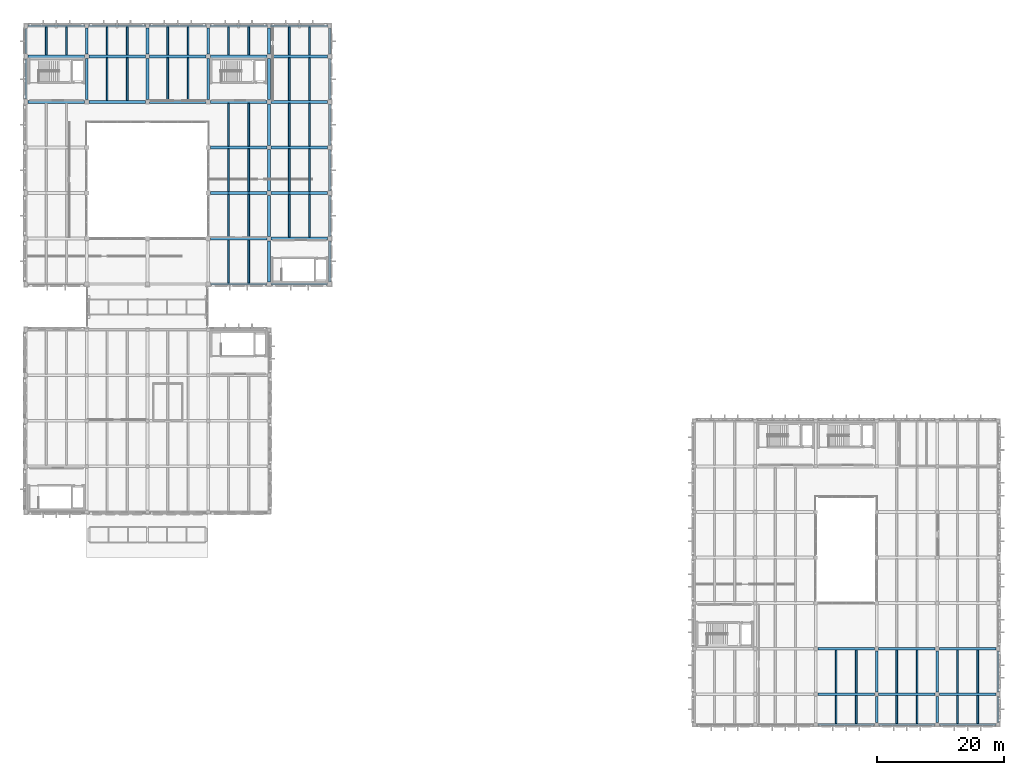
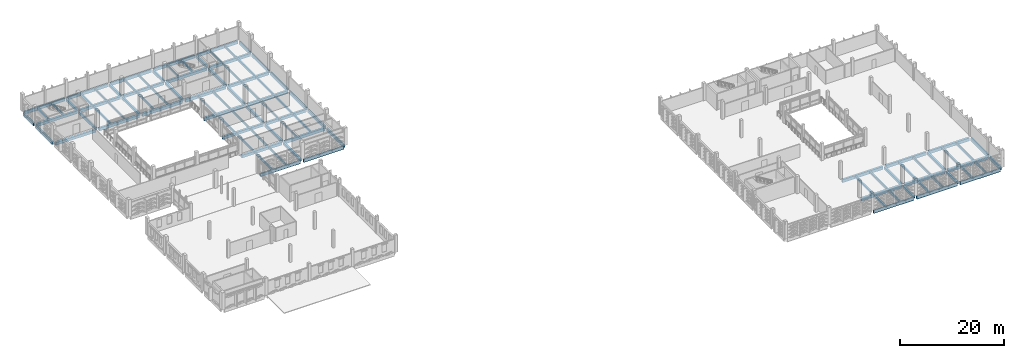
# One storey, part 28 of 72: 100 beams.
"""IFC4 building model written with IfcOpenShell, lengths in metres."""

from ifc_helpers import new_model, si_unit, direction, frame, origin, origin_2d, place, context, subcontext, project, spatial, rectangle, extrude, material, material_profile, profile_set, type_object, element, save


model = new_model("IFC4")

# Units and contexts
model_context = context("Model", 3, precision=1e-05, world=origin(), true_north=direction((0.0, 1.0)))
body_context = subcontext(model_context, "Body", "Model", "MODEL_VIEW")
ifc_project = project(units=[si_unit("LENGTHUNIT", "METRE"), si_unit("AREAUNIT", "SQUARE_METRE"), si_unit("VOLUMEUNIT", "CUBIC_METRE"), si_unit("PLANEANGLEUNIT", "RADIAN"), si_unit("MASSUNIT", "GRAM", prefix="KILO")], contexts=[model_context])

# Site, building, storey
site_placement = place(None, origin())
site = spatial("IfcSite", under=ifc_project, at=site_placement, CompositionType="ELEMENT")
building_placement = place(site_placement, origin())
building = spatial("IfcBuilding", under=site, at=building_placement, Name="Asteropetra Specialist Clinic", CompositionType="ELEMENT")
storey_placement = place(building_placement, frame((0.0, 0.0, 12.580078125)))
storey = spatial("IfcBuildingStorey", under=building, at=storey_placement, Name="L03", CompositionType="ELEMENT", Elevation=12.580078125)

# Beams
ifc_material_1 = material(Name="Concrete C35/45", Category="concrete")
ifc_material_profile_1 = material_profile(ifc_material_1, rectangle(XDim=0.39990234375, YDim=0.60009765625, at=origin_2d()), Name="RCB 400x600")
ifc_profile_set_1 = profile_set([ifc_material_profile_1], Name="Concrete C35/45")
beam_type_1 = type_object("IfcBeamType", Name="BM-RC400x600", PredefinedType="BEAM", material=ifc_profile_set_1)
for number, where, z_axis, x_axis, name in (
    (1, (38.39990234375, 69.949951171875, -0.580078125), (0.0, 1.0, 0.0), (-1.0, 0.0, 0.0), "Beam BBM08-1600"),
    (2, (38.39990234375, 77.14990234375, -0.580078125), (0.0, 1.0, 0.0), (-1.0, 0.0, 0.0), "Beam BBM08-1607"),
    (3, (38.39990234375, 84.35009765625, -0.580078125), (0.0, 1.0, 0.0), (-1.0, 0.0, 0.0), "Beam BBM08-1616"),
    (4, (38.39990234375, 91.550048828125, -0.580078125), (0.0, 1.0, 0.0), (-1.0, 0.0, 0.0), "Beam BBM08-1625"),
    (5, (9.60009765625, 98.75, -0.580078125), (0.0, 1.0, 0.0), (-1.0, 0.0, 0.0), "Beam BBM08-1634"),
    (6, (19.199951171875, 98.75, -0.580078125), (0.0, 1.0, 0.0), (-1.0, 0.0, 0.0), "Beam BBM08-1635"),
    (7, (28.800048828125, 98.75, -0.580078125), (0.0, 1.0, 0.0), (-1.0, 0.0, 0.0), "Beam BBM08-1636"),
    (8, (38.39990234375, 98.75, -0.580078125), (0.0, 1.0, 0.0), (-1.0, 0.0, 0.0), "Beam BBM08-1637"),
):
    element("IfcBeam", number, at=place(storey_placement, frame(where, z_axis=z_axis, x_axis=x_axis)), inside=storey, type_object=beam_type_1, Name=name, PredefinedType="BEAM", context=body_context, shape_type="SweptSolid", body=[
        extrude(rectangle(XDim=0.39990234375, YDim=0.60009765625, at=origin_2d()), origin(), (0.0, 0.0, 1.0), 6.5),
    ])
for number, where, z_axis, x_axis, name in (
    (9, (9.60009765625, 105.949951171875, -0.580078125), (0.0, 1.0, 0.0), (-1.0, 0.0, 0.0), "Beam BBM08-1646"),
    (10, (19.199951171875, 105.949951171875, -0.580078125), (0.0, 1.0, 0.0), (-1.0, 0.0, 0.0), "Beam BBM08-1647"),
    (11, (28.800048828125, 105.949951171875, -0.580078125), (0.0, 1.0, 0.0), (-1.0, 0.0, 0.0), "Beam BBM08-1648"),
    (12, (38.39990234375, 105.949951171875, -0.580078125), (0.0, 1.0, 0.0), (-1.0, 0.0, 0.0), "Beam BBM08-1649"),
):
    element("IfcBeam", number, at=place(storey_placement, frame(where, z_axis=z_axis, x_axis=x_axis)), inside=storey, type_object=beam_type_1, Name=name, PredefinedType="BEAM", context=body_context, shape_type="SweptSolid", body=[
        extrude(rectangle(XDim=0.39990234375, YDim=0.60009765625, at=origin_2d()), origin(), (0.0, 0.0, 1.0), 4.10009765625),
    ])
ifc_material_2 = material(Name="Concrete C35/45", Category="concrete")
ifc_material_profile_2 = material_profile(ifc_material_2, rectangle(XDim=0.39990234375, YDim=0.64990234375, at=origin_2d()), Name="RCB 400x650")
ifc_profile_set_2 = profile_set([ifc_material_profile_2], Name="Concrete C35/45")
beam_type_2 = type_object("IfcBeamType", Name="BM-RC400x650", PredefinedType="BEAM", material=ifc_profile_set_2)
for number, where, z_axis, x_axis, name in (
    (13, (134.39990234375, 0.324951171875, -0.625), (0.0, 1.0, 0.0), (-1.0, 0.0, 0.0), "Beam BBM07-1478"),
    (14, (144.0, 0.324951171875, -0.625), (0.0, 1.0, 0.0), (-1.0, 0.0, 0.0), "Beam BBM07-1479"),
):
    element("IfcBeam", number, at=place(storey_placement, frame(where, z_axis=z_axis, x_axis=x_axis)), inside=storey, type_object=beam_type_2, Name=name, PredefinedType="BEAM", context=body_context, shape_type="SweptSolid", body=[
        extrude(rectangle(XDim=0.39990234375, YDim=0.64990234375, at=origin_2d()), origin(), (0.0, 0.0, 1.0), 4.150146484375),
    ])
for number, where, z_axis, x_axis, name in (
    (15, (134.39990234375, 5.125, -0.625), (0.0, 1.0, 0.0), (-1.0, 0.0, 0.0), "Beam BBM07-1494"),
    (16, (144.0, 5.125, -0.625), (0.0, 1.0, 0.0), (-1.0, 0.0, 0.0), "Beam BBM07-1495"),
):
    element("IfcBeam", number, at=place(storey_placement, frame(where, z_axis=z_axis, x_axis=x_axis)), inside=storey, type_object=beam_type_2, Name=name, PredefinedType="BEAM", context=body_context, shape_type="SweptSolid", body=[
        extrude(rectangle(XDim=0.39990234375, YDim=0.64990234375, at=origin_2d()), origin(), (0.0, 0.0, 1.0), 6.550048828125),
    ])
ifc_material_3 = material(Name="Concrete C35/45", Category="concrete")
ifc_material_profile_3 = material_profile(ifc_material_3, rectangle(XDim=0.449951171875, YDim=0.64990234375, at=origin_2d()), Name="RCB 450x650")
ifc_profile_set_3 = profile_set([ifc_material_profile_3], Name="Concrete C35/45")
beam_type_3 = type_object("IfcBeamType", Name="BM-RC450x650", PredefinedType="BEAM", material=ifc_profile_set_3)
beam_1_placement = place(storey_placement, frame((29.14990234375, 76.800048828125, -0.60498046875), z_axis=(1.0, 0.0, 0.0), x_axis=(0.0, 1.0, 0.0)))
element("IfcBeam", 17, at=beam_1_placement, inside=storey, type_object=beam_type_3, Name="Beam BBM06-1573", PredefinedType="BEAM", context=body_context, shape_type="SweptSolid", body=[
    extrude(rectangle(XDim=0.449951171875, YDim=0.64990234375, at=origin_2d()), origin(), (0.0, 0.0, 1.0), 8.900146484375),
])
beam_2_placement = place(storey_placement, frame((38.75, 76.800048828125, -0.60498046875), z_axis=(1.0, 0.0, 0.0), x_axis=(0.0, 1.0, 0.0)))
element("IfcBeam", 18, at=beam_2_placement, inside=storey, type_object=beam_type_3, Name="Beam BBM06-1574", PredefinedType="BEAM", context=body_context, shape_type="SweptSolid", body=[
    extrude(rectangle(XDim=0.449951171875, YDim=0.64990234375, at=origin_2d()), origin(), (0.0, 0.0, 1.0), 8.89990234375),
])
beam_3_placement = place(storey_placement, frame((29.14990234375, 84.0, -0.60498046875), z_axis=(1.0, 0.0, 0.0), x_axis=(0.0, 1.0, 0.0)))
element("IfcBeam", 19, at=beam_3_placement, inside=storey, type_object=beam_type_3, Name="Beam BBM06-1576", PredefinedType="BEAM", context=body_context, shape_type="SweptSolid", body=[
    extrude(rectangle(XDim=0.449951171875, YDim=0.64990234375, at=origin_2d()), origin(), (0.0, 0.0, 1.0), 8.900146484375),
])
beam_4_placement = place(storey_placement, frame((38.75, 84.0, -0.60498046875), z_axis=(1.0, 0.0, 0.0), x_axis=(0.0, 1.0, 0.0)))
element("IfcBeam", 20, at=beam_4_placement, inside=storey, type_object=beam_type_3, Name="Beam BBM06-1577", PredefinedType="BEAM", context=body_context, shape_type="SweptSolid", body=[
    extrude(rectangle(XDim=0.449951171875, YDim=0.64990234375, at=origin_2d()), origin(), (0.0, 0.0, 1.0), 8.89990234375),
])
beam_5_placement = place(storey_placement, frame((29.14990234375, 91.199951171875, -0.60498046875), z_axis=(1.0, 0.0, 0.0), x_axis=(0.0, 1.0, 0.0)))
element("IfcBeam", 21, at=beam_5_placement, inside=storey, type_object=beam_type_3, Name="Beam BBM06-1579", PredefinedType="BEAM", context=body_context, shape_type="SweptSolid", body=[
    extrude(rectangle(XDim=0.449951171875, YDim=0.64990234375, at=origin_2d()), origin(), (0.0, 0.0, 1.0), 8.900146484375),
])
beam_6_placement = place(storey_placement, frame((38.75, 91.199951171875, -0.60498046875), z_axis=(1.0, 0.0, 0.0), x_axis=(0.0, 1.0, 0.0)))
element("IfcBeam", 22, at=beam_6_placement, inside=storey, type_object=beam_type_3, Name="Beam BBM06-1580", PredefinedType="BEAM", context=body_context, shape_type="SweptSolid", body=[
    extrude(rectangle(XDim=0.449951171875, YDim=0.64990234375, at=origin_2d()), origin(), (0.0, 0.0, 1.0), 8.89990234375),
])
beam_7_placement = place(storey_placement, frame((0.300048828125, 98.39990234375, -0.60498046875), z_axis=(1.0, 0.0, 0.0), x_axis=(0.0, 1.0, 0.0)))
element("IfcBeam", 23, at=beam_7_placement, inside=storey, type_object=beam_type_3, Name="Beam BBM06-1581", PredefinedType="BEAM", context=body_context, shape_type="SweptSolid", body=[
    extrude(rectangle(XDim=0.449951171875, YDim=0.64990234375, at=origin_2d()), origin(), (0.0, 0.0, 1.0), 8.949951171875),
])
beam_8_placement = place(storey_placement, frame((9.949951171875, 98.39990234375, -0.60498046875), z_axis=(1.0, 0.0, 0.0), x_axis=(0.0, 1.0, 0.0)))
element("IfcBeam", 24, at=beam_8_placement, inside=storey, type_object=beam_type_3, Name="Beam BBM06-1582", PredefinedType="BEAM", context=body_context, shape_type="SweptSolid", body=[
    extrude(rectangle(XDim=0.449951171875, YDim=0.64990234375, at=origin_2d()), origin(), (0.0, 0.0, 1.0), 8.900146484375),
])
beam_9_placement = place(storey_placement, frame((19.550048828125, 98.39990234375, -0.60498046875), z_axis=(1.0, 0.0, 0.0), x_axis=(0.0, 1.0, 0.0)))
element("IfcBeam", 25, at=beam_9_placement, inside=storey, type_object=beam_type_3, Name="Beam BBM06-1583", PredefinedType="BEAM", context=body_context, shape_type="SweptSolid", body=[
    extrude(rectangle(XDim=0.449951171875, YDim=0.64990234375, at=origin_2d()), origin(), (0.0, 0.0, 1.0), 8.89990234375),
])
beam_10_placement = place(storey_placement, frame((29.14990234375, 98.39990234375, -0.60498046875), z_axis=(1.0, 0.0, 0.0), x_axis=(0.0, 1.0, 0.0)))
element("IfcBeam", 26, at=beam_10_placement, inside=storey, type_object=beam_type_3, Name="Beam BBM06-1584", PredefinedType="BEAM", context=body_context, shape_type="SweptSolid", body=[
    extrude(rectangle(XDim=0.449951171875, YDim=0.64990234375, at=origin_2d()), origin(), (0.0, 0.0, 1.0), 8.900146484375),
])
beam_11_placement = place(storey_placement, frame((38.75, 98.39990234375, -0.60498046875), z_axis=(1.0, 0.0, 0.0), x_axis=(0.0, 1.0, 0.0)))
element("IfcBeam", 27, at=beam_11_placement, inside=storey, type_object=beam_type_3, Name="Beam BBM06-1585", PredefinedType="BEAM", context=body_context, shape_type="SweptSolid", body=[
    extrude(rectangle(XDim=0.449951171875, YDim=0.64990234375, at=origin_2d()), origin(), (0.0, 0.0, 1.0), 8.89990234375),
])
beam_12_placement = place(storey_placement, frame((0.300048828125, 105.60009765625, -0.60498046875), z_axis=(1.0, 0.0, 0.0), x_axis=(0.0, 1.0, 0.0)))
element("IfcBeam", 28, at=beam_12_placement, inside=storey, type_object=beam_type_3, Name="Beam BBM06-1586", PredefinedType="BEAM", context=body_context, shape_type="SweptSolid", body=[
    extrude(rectangle(XDim=0.449951171875, YDim=0.64990234375, at=origin_2d()), origin(), (0.0, 0.0, 1.0), 8.949951171875),
])
beam_13_placement = place(storey_placement, frame((9.949951171875, 105.60009765625, -0.60498046875), z_axis=(1.0, 0.0, 0.0), x_axis=(0.0, 1.0, 0.0)))
element("IfcBeam", 29, at=beam_13_placement, inside=storey, type_object=beam_type_3, Name="Beam BBM06-1587", PredefinedType="BEAM", context=body_context, shape_type="SweptSolid", body=[
    extrude(rectangle(XDim=0.449951171875, YDim=0.64990234375, at=origin_2d()), origin(), (0.0, 0.0, 1.0), 8.900146484375),
])
beam_14_placement = place(storey_placement, frame((19.550048828125, 105.60009765625, -0.60498046875), z_axis=(1.0, 0.0, 0.0), x_axis=(0.0, 1.0, 0.0)))
element("IfcBeam", 30, at=beam_14_placement, inside=storey, type_object=beam_type_3, Name="Beam BBM06-1588", PredefinedType="BEAM", context=body_context, shape_type="SweptSolid", body=[
    extrude(rectangle(XDim=0.449951171875, YDim=0.64990234375, at=origin_2d()), origin(), (0.0, 0.0, 1.0), 8.89990234375),
])
beam_15_placement = place(storey_placement, frame((29.14990234375, 105.60009765625, -0.60498046875), z_axis=(1.0, 0.0, 0.0), x_axis=(0.0, 1.0, 0.0)))
element("IfcBeam", 31, at=beam_15_placement, inside=storey, type_object=beam_type_3, Name="Beam BBM06-1589", PredefinedType="BEAM", context=body_context, shape_type="SweptSolid", body=[
    extrude(rectangle(XDim=0.449951171875, YDim=0.64990234375, at=origin_2d()), origin(), (0.0, 0.0, 1.0), 8.900146484375),
])
beam_16_placement = place(storey_placement, frame((38.75, 105.60009765625, -0.60498046875), z_axis=(1.0, 0.0, 0.0), x_axis=(0.0, 1.0, 0.0)))
element("IfcBeam", 32, at=beam_16_placement, inside=storey, type_object=beam_type_3, Name="Beam BBM06-1590", PredefinedType="BEAM", context=body_context, shape_type="SweptSolid", body=[
    extrude(rectangle(XDim=0.449951171875, YDim=0.64990234375, at=origin_2d()), origin(), (0.0, 0.0, 1.0), 8.89990234375),
])
ifc_material_4 = material(Name="Concrete C35/45", Category="concrete")
ifc_material_profile_4 = material_profile(ifc_material_4, rectangle(XDim=0.449951171875, YDim=0.699951171875, at=origin_2d()), Name="RCB 450x700")
ifc_profile_set_4 = profile_set([ifc_material_profile_4], Name="Concrete C35/45")
beam_type_4 = type_object("IfcBeamType", Name="BM-RC450x700", PredefinedType="BEAM", material=ifc_profile_set_4)
for number, where, z_axis, x_axis, name in (
    (33, (125.125, 4.800048828125, -0.650146484375), (1.0, 0.0, 0.0), (0.0, 1.0, 0.0), "Beam BBM05-1445"),
    (34, (134.72509765625, 4.800048828125, -0.650146484375), (1.0, 0.0, 0.0), (0.0, 1.0, 0.0), "Beam BBM05-1446"),
    (35, (144.324951171875, 4.800048828125, -0.650146484375), (1.0, 0.0, 0.0), (0.0, 1.0, 0.0), "Beam BBM05-1447"),
    (36, (125.125, 12.0, -0.650146484375), (1.0, 0.0, 0.0), (0.0, 1.0, 0.0), "Beam BBM05-1450"),
    (37, (134.72509765625, 12.0, -0.650146484375), (1.0, 0.0, 0.0), (0.0, 1.0, 0.0), "Beam BBM05-1451"),
    (38, (144.324951171875, 12.0, -0.650146484375), (1.0, 0.0, 0.0), (0.0, 1.0, 0.0), "Beam BBM05-1452"),
):
    element("IfcBeam", number, at=place(storey_placement, frame(where, z_axis=z_axis, x_axis=x_axis)), inside=storey, type_object=beam_type_4, Name=name, PredefinedType="BEAM", context=body_context, shape_type="SweptSolid", body=[
        extrude(rectangle(XDim=0.449951171875, YDim=0.699951171875, at=origin_2d()), origin(), (0.0, 0.0, 1.0), 8.949951171875),
    ])
ifc_material_5 = material(Name="Concrete C35/45", Category="concrete")
ifc_material_profile_5 = material_profile(ifc_material_5, rectangle(XDim=0.260009765625, YDim=0.47998046875, at=origin_2d()), Name="RCJ 260x480")
ifc_profile_set_5 = profile_set([ifc_material_profile_5], Name="Concrete C35/45")
beam_type_5 = type_object("IfcBeamType", Name="JST-RC260x480", PredefinedType="JOIST", material=ifc_profile_set_5)
for number, where, z_axis, x_axis, name in (
    (39, (32.0, 69.760009765625, -0.52001953125), (0.0, 1.0, 0.0), (-1.0, 0.0, 0.0), "Joist JJST02-1604"),
    (40, (35.199951171875, 69.760009765625, -0.52001953125), (0.0, 1.0, 0.0), (-1.0, 0.0, 0.0), "Joist JJST02-1605"),
):
    element("IfcBeam", number, at=place(storey_placement, frame(where, z_axis=z_axis, x_axis=x_axis)), inside=storey, type_object=beam_type_5, Name=name, PredefinedType="JOIST", context=body_context, shape_type="SweptSolid", body=[
        extrude(rectangle(XDim=0.260009765625, YDim=0.47998046875, at=origin_2d()), origin(), (0.0, 0.0, 1.0), 6.81494140625),
    ])
for number, where, z_axis, x_axis, name in (
    (41, (32.0, 77.02490234375, -0.52001953125), (0.0, 1.0, 0.0), (-1.0, 0.0, 0.0), "Joist JJST02-1611"),
    (42, (35.199951171875, 77.02490234375, -0.52001953125), (0.0, 1.0, 0.0), (-1.0, 0.0, 0.0), "Joist JJST02-1612"),
    (43, (41.60009765625, 77.02490234375, -0.52001953125), (0.0, 1.0, 0.0), (-1.0, 0.0, 0.0), "Joist JJST02-1613"),
    (44, (44.800048828125, 77.02490234375, -0.52001953125), (0.0, 1.0, 0.0), (-1.0, 0.0, 0.0), "Joist JJST02-1614"),
    (45, (32.0, 84.22509765625, -0.52001953125), (0.0, 1.0, 0.0), (-1.0, 0.0, 0.0), "Joist JJST02-1620"),
    (46, (35.199951171875, 84.22509765625, -0.52001953125), (0.0, 1.0, 0.0), (-1.0, 0.0, 0.0), "Joist JJST02-1621"),
    (47, (41.60009765625, 84.22509765625, -0.52001953125), (0.0, 1.0, 0.0), (-1.0, 0.0, 0.0), "Joist JJST02-1622"),
    (48, (44.800048828125, 84.22509765625, -0.52001953125), (0.0, 1.0, 0.0), (-1.0, 0.0, 0.0), "Joist JJST02-1623"),
    (49, (32.0, 91.425048828125, -0.52001953125), (0.0, 1.0, 0.0), (-1.0, 0.0, 0.0), "Joist JJST02-1629"),
    (50, (35.199951171875, 91.425048828125, -0.52001953125), (0.0, 1.0, 0.0), (-1.0, 0.0, 0.0), "Joist JJST02-1630"),
    (51, (41.60009765625, 91.425048828125, -0.52001953125), (0.0, 1.0, 0.0), (-1.0, 0.0, 0.0), "Joist JJST02-1631"),
    (52, (44.800048828125, 91.425048828125, -0.52001953125), (0.0, 1.0, 0.0), (-1.0, 0.0, 0.0), "Joist JJST02-1632"),
    (53, (12.800048828125, 98.625, -0.52001953125), (0.0, 1.0, 0.0), (-1.0, 0.0, 0.0), "Joist JJST02-1639"),
    (54, (16.0, 98.625, -0.52001953125), (0.0, 1.0, 0.0), (-1.0, 0.0, 0.0), "Joist JJST02-1640"),
    (55, (22.39990234375, 98.625, -0.52001953125), (0.0, 1.0, 0.0), (-1.0, 0.0, 0.0), "Joist JJST02-1641"),
    (56, (25.60009765625, 98.625, -0.52001953125), (0.0, 1.0, 0.0), (-1.0, 0.0, 0.0), "Joist JJST02-1642"),
    (57, (41.60009765625, 98.625, -0.52001953125), (0.0, 1.0, 0.0), (-1.0, 0.0, 0.0), "Joist JJST02-1643"),
    (58, (44.800048828125, 98.625, -0.52001953125), (0.0, 1.0, 0.0), (-1.0, 0.0, 0.0), "Joist JJST02-1644"),
):
    element("IfcBeam", number, at=place(storey_placement, frame(where, z_axis=z_axis, x_axis=x_axis)), inside=storey, type_object=beam_type_5, Name=name, PredefinedType="JOIST", context=body_context, shape_type="SweptSolid", body=[
        extrude(rectangle(XDim=0.260009765625, YDim=0.47998046875, at=origin_2d()), origin(), (0.0, 0.0, 1.0), 6.75),
    ])
for number, where, z_axis, x_axis, name in (
    (59, (3.199951171875, 105.824951171875, -0.52001953125), (0.0, 1.0, 0.0), (-1.0, 0.0, 0.0), "Joist JJST02-1651"),
    (60, (6.39990234375, 105.824951171875, -0.52001953125), (0.0, 1.0, 0.0), (-1.0, 0.0, 0.0), "Joist JJST02-1652"),
    (61, (12.800048828125, 105.824951171875, -0.52001953125), (0.0, 1.0, 0.0), (-1.0, 0.0, 0.0), "Joist JJST02-1653"),
    (62, (16.0, 105.824951171875, -0.52001953125), (0.0, 1.0, 0.0), (-1.0, 0.0, 0.0), "Joist JJST02-1654"),
    (63, (22.39990234375, 105.824951171875, -0.52001953125), (0.0, 1.0, 0.0), (-1.0, 0.0, 0.0), "Joist JJST02-1655"),
    (64, (25.60009765625, 105.824951171875, -0.52001953125), (0.0, 1.0, 0.0), (-1.0, 0.0, 0.0), "Joist JJST02-1656"),
    (65, (32.0, 105.824951171875, -0.52001953125), (0.0, 1.0, 0.0), (-1.0, 0.0, 0.0), "Joist JJST02-1657"),
    (66, (35.199951171875, 105.824951171875, -0.52001953125), (0.0, 1.0, 0.0), (-1.0, 0.0, 0.0), "Joist JJST02-1658"),
    (67, (41.60009765625, 105.824951171875, -0.52001953125), (0.0, 1.0, 0.0), (-1.0, 0.0, 0.0), "Joist JJST02-1659"),
    (68, (44.800048828125, 105.824951171875, -0.52001953125), (0.0, 1.0, 0.0), (-1.0, 0.0, 0.0), "Joist JJST02-1660"),
):
    element("IfcBeam", number, at=place(storey_placement, frame(where, z_axis=z_axis, x_axis=x_axis)), inside=storey, type_object=beam_type_5, Name=name, PredefinedType="JOIST", context=body_context, shape_type="SweptSolid", body=[
        extrude(rectangle(XDim=0.260009765625, YDim=0.47998046875, at=origin_2d()), origin(), (0.0, 0.0, 1.0), 4.4150390625),
    ])
ifc_material_6 = material(Name="Concrete C35/45", Category="concrete")
ifc_material_profile_6 = material_profile(ifc_material_6, rectangle(XDim=0.280029296875, YDim=0.52001953125, at=origin_2d()), Name="RCJ 280x520")
ifc_profile_set_6 = profile_set([ifc_material_profile_6], Name="Concrete C35/45")
beam_type_6 = type_object("IfcBeamType", Name="JST-RC280x520", PredefinedType="JOIST", material=ifc_profile_set_6)
for number, where, z_axis, x_axis, name in (
    (69, (128.0, 0.159912109375, -0.56005859375), (0.0, 1.0, 0.0), (-1.0, 0.0, 0.0), "Joist JJST01-1485"),
    (70, (131.199951171875, 0.159912109375, -0.56005859375), (0.0, 1.0, 0.0), (-1.0, 0.0, 0.0), "Joist JJST01-1486"),
    (71, (137.60009765625, 0.159912109375, -0.56005859375), (0.0, 1.0, 0.0), (-1.0, 0.0, 0.0), "Joist JJST01-1487"),
    (72, (140.800048828125, 0.159912109375, -0.56005859375), (0.0, 1.0, 0.0), (-1.0, 0.0, 0.0), "Joist JJST01-1488"),
    (73, (147.199951171875, 0.159912109375, -0.56005859375), (0.0, 1.0, 0.0), (-1.0, 0.0, 0.0), "Joist JJST01-1489"),
    (74, (150.39990234375, 0.159912109375, -0.56005859375), (0.0, 1.0, 0.0), (-1.0, 0.0, 0.0), "Joist JJST01-1490"),
):
    element("IfcBeam", number, at=place(storey_placement, frame(where, z_axis=z_axis, x_axis=x_axis)), inside=storey, type_object=beam_type_6, Name=name, PredefinedType="JOIST", context=body_context, shape_type="SweptSolid", body=[
        extrude(rectangle(XDim=0.280029296875, YDim=0.52001953125, at=origin_2d()), origin(), (0.0, 0.0, 1.0), 4.4150390625),
    ])
for number, where, z_axis, x_axis, name in (
    (75, (128.0, 5.02490234375, -0.56005859375), (0.0, 1.0, 0.0), (-1.0, 0.0, 0.0), "Joist JJST01-1501"),
    (76, (131.199951171875, 5.02490234375, -0.56005859375), (0.0, 1.0, 0.0), (-1.0, 0.0, 0.0), "Joist JJST01-1502"),
    (77, (137.60009765625, 5.02490234375, -0.56005859375), (0.0, 1.0, 0.0), (-1.0, 0.0, 0.0), "Joist JJST01-1503"),
    (78, (140.800048828125, 5.02490234375, -0.56005859375), (0.0, 1.0, 0.0), (-1.0, 0.0, 0.0), "Joist JJST01-1504"),
    (79, (147.199951171875, 5.02490234375, -0.56005859375), (0.0, 1.0, 0.0), (-1.0, 0.0, 0.0), "Joist JJST01-1505"),
    (80, (150.39990234375, 5.02490234375, -0.56005859375), (0.0, 1.0, 0.0), (-1.0, 0.0, 0.0), "Joist JJST01-1506"),
):
    element("IfcBeam", number, at=place(storey_placement, frame(where, z_axis=z_axis, x_axis=x_axis)), inside=storey, type_object=beam_type_6, Name=name, PredefinedType="JOIST", context=body_context, shape_type="SweptSolid", body=[
        extrude(rectangle(XDim=0.280029296875, YDim=0.52001953125, at=origin_2d()), origin(), (0.0, 0.0, 1.0), 6.75),
    ])
ifc_material_7 = material(Name="Concrete C35/45", Category="concrete")
ifc_material_profile_7 = material_profile(ifc_material_7, rectangle(XDim=0.320068359375, YDim=0.699951171875, at=origin_2d()), Name="RCS 320x700")
ifc_profile_set_7 = profile_set([ifc_material_profile_7], Name="Concrete C35/45")
beam_type_7 = type_object("IfcBeamType", Name="SPN-RC320x700", PredefinedType="SPANDREL", material=ifc_profile_set_7)
for number, where, z_axis, x_axis, name in (
    (81, (125.125, 0.0, -0.650146484375), (1.0, 0.0, 0.0), (0.0, 1.0, 0.0), "Beam BSPN02-1440"),
    (82, (134.72509765625, 0.0, -0.650146484375), (1.0, 0.0, 0.0), (0.0, 1.0, 0.0), "Beam BSPN02-1441"),
    (83, (144.324951171875, 0.0, -0.650146484375), (1.0, 0.0, 0.0), (0.0, 1.0, 0.0), "Beam BSPN02-1442"),
):
    element("IfcBeam", number, at=place(storey_placement, frame(where, z_axis=z_axis, x_axis=x_axis)), inside=storey, type_object=beam_type_7, Name=name, PredefinedType="SPANDREL", context=body_context, shape_type="SweptSolid", body=[
        extrude(rectangle(XDim=0.320068359375, YDim=0.699951171875, at=origin_2d()), origin(), (0.0, 0.0, 1.0), 8.949951171875),
    ])
beam_17_placement = place(storey_placement, frame((153.60009765625, 0.324951171875, -0.650146484375), z_axis=(0.0, 1.0, 0.0), x_axis=(-1.0, 0.0, 0.0)))
element("IfcBeam", 84, at=beam_17_placement, inside=storey, type_object=beam_type_7, Name="Beam BSPN02-1480", PredefinedType="SPANDREL", context=body_context, shape_type="SweptSolid", body=[
    extrude(rectangle(XDim=0.320068359375, YDim=0.699951171875, at=origin_2d()), origin(), (0.0, 0.0, 1.0), 4.150146484375),
])
beam_18_placement = place(storey_placement, frame((153.60009765625, 5.125, -0.650146484375), z_axis=(0.0, 1.0, 0.0), x_axis=(-1.0, 0.0, 0.0)))
element("IfcBeam", 85, at=beam_18_placement, inside=storey, type_object=beam_type_7, Name="Beam BSPN02-1496", PredefinedType="SPANDREL", context=body_context, shape_type="SweptSolid", body=[
    extrude(rectangle(XDim=0.320068359375, YDim=0.699951171875, at=origin_2d()), origin(), (0.0, 0.0, 1.0), 6.550048828125),
])
beam_19_placement = place(storey_placement, frame((29.14990234375, 69.60009765625, -0.630126953125), z_axis=(1.0, 0.0, 0.0), x_axis=(0.0, 1.0, 0.0)))
element("IfcBeam", 86, at=beam_19_placement, inside=storey, type_object=beam_type_7, Name="Beam BSPN02-1570", PredefinedType="SPANDREL", context=body_context, shape_type="SweptSolid", body=[
    extrude(rectangle(XDim=0.320068359375, YDim=0.699951171875, at=origin_2d()), origin(), (0.0, 0.0, 1.0), 8.900146484375),
])
beam_20_placement = place(storey_placement, frame((38.75, 69.60009765625, -0.630126953125), z_axis=(1.0, 0.0, 0.0), x_axis=(0.0, 1.0, 0.0)))
element("IfcBeam", 87, at=beam_20_placement, inside=storey, type_object=beam_type_7, Name="Beam BSPN02-1571", PredefinedType="SPANDREL", context=body_context, shape_type="SweptSolid", body=[
    extrude(rectangle(XDim=0.320068359375, YDim=0.699951171875, at=origin_2d()), origin(), (0.0, 0.0, 1.0), 8.89990234375),
])
beam_21_placement = place(storey_placement, frame((0.300048828125, 110.39990234375, -0.630126953125), z_axis=(1.0, 0.0, 0.0), x_axis=(0.0, 1.0, 0.0)))
element("IfcBeam", 88, at=beam_21_placement, inside=storey, type_object=beam_type_7, Name="Beam BSPN02-1591", PredefinedType="SPANDREL", context=body_context, shape_type="SweptSolid", body=[
    extrude(rectangle(XDim=0.320068359375, YDim=0.699951171875, at=origin_2d()), origin(), (0.0, 0.0, 1.0), 9.050048828125),
])
beam_22_placement = place(storey_placement, frame((9.85009765625, 110.39990234375, -0.630126953125), z_axis=(1.0, 0.0, 0.0), x_axis=(0.0, 1.0, 0.0)))
element("IfcBeam", 89, at=beam_22_placement, inside=storey, type_object=beam_type_7, Name="Beam BSPN02-1592", PredefinedType="SPANDREL", context=body_context, shape_type="SweptSolid", body=[
    extrude(rectangle(XDim=0.320068359375, YDim=0.699951171875, at=origin_2d()), origin(), (0.0, 0.0, 1.0), 9.099853515625),
])
beam_23_placement = place(storey_placement, frame((19.449951171875, 110.39990234375, -0.630126953125), z_axis=(1.0, 0.0, 0.0), x_axis=(0.0, 1.0, 0.0)))
element("IfcBeam", 90, at=beam_23_placement, inside=storey, type_object=beam_type_7, Name="Beam BSPN02-1593", PredefinedType="SPANDREL", context=body_context, shape_type="SweptSolid", body=[
    extrude(rectangle(XDim=0.320068359375, YDim=0.699951171875, at=origin_2d()), origin(), (0.0, 0.0, 1.0), 9.10009765625),
])
beam_24_placement = place(storey_placement, frame((29.050048828125, 110.39990234375, -0.630126953125), z_axis=(1.0, 0.0, 0.0), x_axis=(0.0, 1.0, 0.0)))
element("IfcBeam", 91, at=beam_24_placement, inside=storey, type_object=beam_type_7, Name="Beam BSPN02-1594", PredefinedType="SPANDREL", context=body_context, shape_type="SweptSolid", body=[
    extrude(rectangle(XDim=0.320068359375, YDim=0.699951171875, at=origin_2d()), origin(), (0.0, 0.0, 1.0), 9.099853515625),
])
beam_25_placement = place(storey_placement, frame((38.64990234375, 110.39990234375, -0.630126953125), z_axis=(1.0, 0.0, 0.0), x_axis=(0.0, 1.0, 0.0)))
element("IfcBeam", 92, at=beam_25_placement, inside=storey, type_object=beam_type_7, Name="Beam BSPN02-1595", PredefinedType="SPANDREL", context=body_context, shape_type="SweptSolid", body=[
    extrude(rectangle(XDim=0.320068359375, YDim=0.699951171875, at=origin_2d()), origin(), (0.0, 0.0, 1.0), 9.10009765625),
])
for number, where, z_axis, x_axis, name in (
    (93, (48.0, 69.949951171875, -0.630126953125), (0.0, 1.0, 0.0), (-1.0, 0.0, 0.0), "Beam BSPN02-1601"),
    (94, (48.0, 77.14990234375, -0.630126953125), (0.0, 1.0, 0.0), (-1.0, 0.0, 0.0), "Beam BSPN02-1608"),
    (95, (48.0, 84.35009765625, -0.630126953125), (0.0, 1.0, 0.0), (-1.0, 0.0, 0.0), "Beam BSPN02-1617"),
    (96, (48.0, 91.550048828125, -0.630126953125), (0.0, 1.0, 0.0), (-1.0, 0.0, 0.0), "Beam BSPN02-1626"),
):
    element("IfcBeam", number, at=place(storey_placement, frame(where, z_axis=z_axis, x_axis=x_axis)), inside=storey, type_object=beam_type_7, Name=name, PredefinedType="SPANDREL", context=body_context, shape_type="SweptSolid", body=[
        extrude(rectangle(XDim=0.320068359375, YDim=0.699951171875, at=origin_2d()), origin(), (0.0, 0.0, 1.0), 6.5),
    ])
beam_26_placement = place(storey_placement, frame((0.0, 98.824951171875, -0.630126953125), z_axis=(0.0, 1.0, 0.0), x_axis=(-1.0, 0.0, 0.0)))
element("IfcBeam", 97, at=beam_26_placement, inside=storey, type_object=beam_type_7, Name="Beam BSPN02-1633", PredefinedType="SPANDREL", context=body_context, shape_type="SweptSolid", body=[
    extrude(rectangle(XDim=0.320068359375, YDim=0.699951171875, at=origin_2d()), origin(), (0.0, 0.0, 1.0), 6.35009765625),
])
beam_27_placement = place(storey_placement, frame((48.0, 98.75, -0.630126953125), z_axis=(0.0, 1.0, 0.0), x_axis=(-1.0, 0.0, 0.0)))
element("IfcBeam", 98, at=beam_27_placement, inside=storey, type_object=beam_type_7, Name="Beam BSPN02-1638", PredefinedType="SPANDREL", context=body_context, shape_type="SweptSolid", body=[
    extrude(rectangle(XDim=0.320068359375, YDim=0.699951171875, at=origin_2d()), origin(), (0.0, 0.0, 1.0), 6.5),
])
beam_28_placement = place(storey_placement, frame((0.0, 106.02490234375, -0.630126953125), z_axis=(0.0, 1.0, 0.0), x_axis=(-1.0, 0.0, 0.0)))
element("IfcBeam", 99, at=beam_28_placement, inside=storey, type_object=beam_type_7, Name="Beam BSPN02-1645", PredefinedType="SPANDREL", context=body_context, shape_type="SweptSolid", body=[
    extrude(rectangle(XDim=0.320068359375, YDim=0.699951171875, at=origin_2d()), origin(), (0.0, 0.0, 1.0), 3.9501953125),
])
beam_29_placement = place(storey_placement, frame((48.0, 105.949951171875, -0.630126953125), z_axis=(0.0, 1.0, 0.0), x_axis=(-1.0, 0.0, 0.0)))
element("IfcBeam", 100, at=beam_29_placement, inside=storey, type_object=beam_type_7, Name="Beam BSPN02-1650", PredefinedType="SPANDREL", context=body_context, shape_type="SweptSolid", body=[
    extrude(rectangle(XDim=0.320068359375, YDim=0.699951171875, at=origin_2d()), origin(), (0.0, 0.0, 1.0), 4.10009765625),
])

save(model, "model.ifc")
